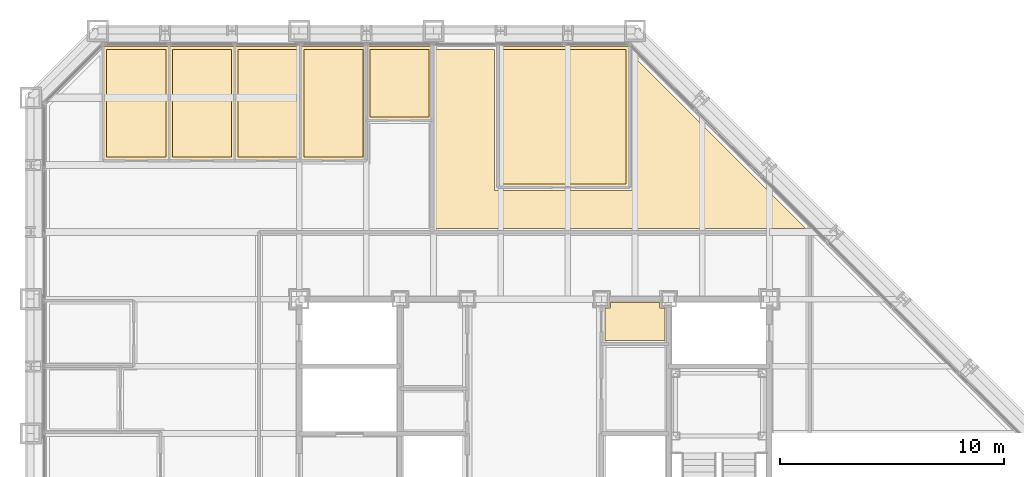
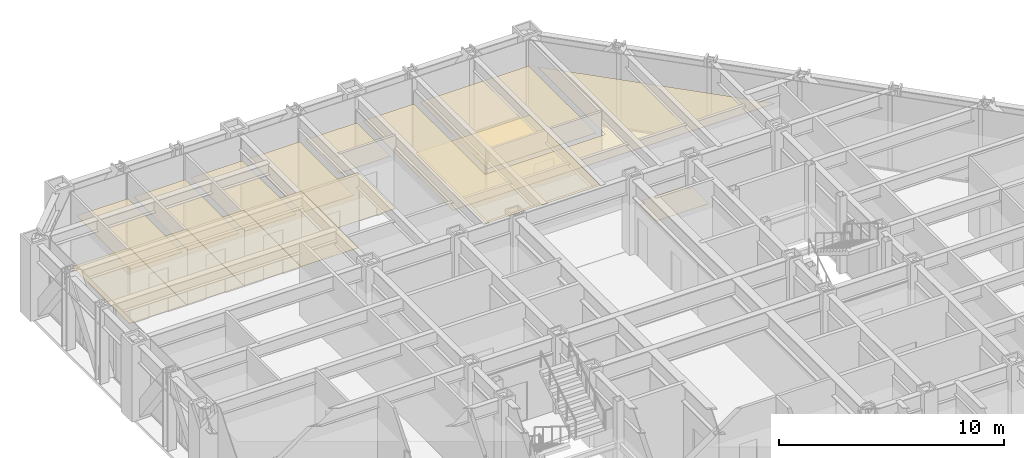
# One storey, part 16 of 16: 14 coverings.
"""IFC4 building model written with IfcOpenShell, lengths in metres."""

from ifc_helpers import new_model, si_unit, direction, frame, origin, place, context, subcontext, project, spatial, polyline, outline, extrude, material, layer, layer_set, type_object, element, save


model = new_model("IFC4")

# Units and contexts
model_context = context("Model", 3, precision=1e-05, world=origin(), true_north=direction((0.0, 1.0)))
body_context = subcontext(model_context, "Body", "Model", "MODEL_VIEW")
ifc_project = project(units=[si_unit("LENGTHUNIT", "METRE"), si_unit("AREAUNIT", "SQUARE_METRE"), si_unit("VOLUMEUNIT", "CUBIC_METRE"), si_unit("PLANEANGLEUNIT", "RADIAN"), si_unit("MASSUNIT", "GRAM", prefix="KILO")], contexts=[model_context])

# Site, building, storey
site_placement = place(None, origin())
site = spatial("IfcSite", under=ifc_project, at=site_placement, CompositionType="ELEMENT")
building_placement = place(site_placement, origin())
building = spatial("IfcBuilding", under=site, at=building_placement, Name="Chuquiago Exchange Tower", CompositionType="ELEMENT")
storey_placement = place(building_placement, frame((0.0, 0.0, 123.60009765625)))
storey = spatial("IfcBuildingStorey", under=building, at=storey_placement, Name="L26", CompositionType="ELEMENT", Elevation=123.60009765625)

# Coverings
ifc_material_1 = material(Name="Mineral fibre tile, 600 x 600, on pale metal grid", Category="mineral fibre")
ifc_layer_1 = layer(ifc_material_1, 0.02001953125)
ifc_layer_set_1 = layer_set([ifc_layer_1], Name="CL1 suspended tile ceiling 20")
covering_type_1 = type_object("IfcCoveringType", Name="CL1 suspended tile ceiling 20", PredefinedType="CEILING", material=ifc_layer_set_1)
covering_1_placement = place(storey_placement, frame((0.0, 0.0, 2.7998046875)))
element("IfcCovering", 1, at=covering_1_placement, inside=storey, type_object=covering_type_1, Name="Ceiling Office", PredefinedType="CEILING", context=body_context, shape_type="SweptSolid", body=[
    extrude(outline(polyline([(6.036376953125, 44.14990234375), (6.036376953125, 39.35009765625), (3.3984375, 39.35009765625), (3.3984375, 44.14990234375), (6.036376953125, 44.14990234375)])), origin(), (0.0, 0.0, 1.0), 0.02001953125),
])
covering_2_placement = place(storey_placement, frame((0.0, 0.0, 2.7998046875)))
element("IfcCovering", 2, at=covering_2_placement, inside=storey, type_object=covering_type_1, Name="Ceiling Office", PredefinedType="CEILING", context=body_context, shape_type="SweptSolid", body=[
    extrude(outline(polyline([(8.974365234375, 39.35009765625), (6.33642578125, 39.35009765625), (6.33642578125, 44.14990234375), (8.974365234375, 44.14990234375), (8.974365234375, 39.35009765625)])), origin(), (0.0, 0.0, 1.0), 0.02001953125),
])
covering_3_placement = place(storey_placement, frame((0.0, 0.0, 2.7998046875)))
element("IfcCovering", 3, at=covering_3_placement, inside=storey, type_object=covering_type_1, Name="Ceiling Office", PredefinedType="CEILING", context=body_context, shape_type="SweptSolid", body=[
    extrude(outline(polyline([(11.912109375, 39.35009765625), (9.2744140625, 39.35009765625), (9.2744140625, 44.14990234375), (11.912109375, 44.14990234375), (11.912109375, 39.35009765625)])), origin(), (0.0, 0.0, 1.0), 0.02001953125),
])
covering_4_placement = place(storey_placement, frame((0.0, 0.0, 2.7998046875)))
element("IfcCovering", 4, at=covering_4_placement, inside=storey, type_object=covering_type_1, Name="Ceiling Meeting room", PredefinedType="CEILING", context=body_context, shape_type="SweptSolid", body=[
    extrude(outline(polyline([(14.85009765625, 39.35009765625), (12.212158203125, 39.35009765625), (12.212158203125, 44.14990234375), (14.85009765625, 44.14990234375), (14.85009765625, 39.35009765625)])), origin(), (0.0, 0.0, 1.0), 0.02001953125),
])
covering_5_placement = place(storey_placement, frame((0.0, 0.0, 2.7998046875)))
element("IfcCovering", 5, at=covering_5_placement, inside=storey, type_object=covering_type_1, Name="Ceiling Focus room", PredefinedType="CEILING", context=body_context, shape_type="SweptSolid", body=[
    extrude(outline(polyline([(17.787841796875, 41.14990234375), (15.14990234375, 41.14990234375), (15.14990234375, 44.14990234375), (17.787841796875, 44.14990234375), (17.787841796875, 41.14990234375)])), origin(), (0.0, 0.0, 1.0), 0.02001953125),
])
covering_6_placement = place(storey_placement, frame((0.0, 0.0, 2.7998046875)))
element("IfcCovering", 6, at=covering_6_placement, inside=storey, type_object=covering_type_1, Name="Ceiling Risk management office", PredefinedType="CEILING", context=body_context, shape_type="SweptSolid", body=[
    extrude(outline(polyline([(26.6015625, 38.14990234375), (21.025634765625, 38.14990234375), (21.025634765625, 44.14990234375), (26.6015625, 44.14990234375), (26.6015625, 38.14990234375)])), origin(), (0.0, 0.0, 1.0), 0.02001953125),
])
covering_7_placement = place(storey_placement, frame((0.0, 0.0, 2.7998046875)))
element("IfcCovering", 7, at=covering_7_placement, inside=storey, type_object=covering_type_1, Name="Ceiling Open office east suite", PredefinedType="CEILING", context=body_context, shape_type="SweptSolid", body=[
    extrude(outline(polyline([(20.7255859375, 37.85009765625), (26.901611328125, 37.85009765625), (26.901611328125, 43.896484375), (34.64794921875, 36.150146484375), (18.08837890625, 36.150390625), (18.08837890625, 44.14990234375), (20.7255859375, 44.14990234375), (20.7255859375, 37.85009765625)])), origin(), (0.0, 0.0, 1.0), 0.02001953125),
])
ifc_material_2 = material(Name="Moisture resistant plasterboard on metal frame", Category="gypsum")
ifc_layer_2 = layer(ifc_material_2, 0.014892578125)
ifc_layer_set_2 = layer_set([ifc_layer_2], Name="CL2 moisture resistant ceiling 15")
covering_type_2 = type_object("IfcCoveringType", Name="CL2 moisture resistant ceiling 15", PredefinedType="CEILING", material=ifc_layer_set_2)
covering_8_placement = place(storey_placement, frame((0.0, 0.0, 2.599853515625)))
element("IfcCovering", 8, at=covering_8_placement, inside=storey, type_object=covering_type_2, Name="Ceiling Staff shower room", PredefinedType="CEILING", context=body_context, shape_type="SweptSolid", body=[
    extrude(outline(polyline([(25.64990234375, 31.14990234375), (25.64990234375, 32.60009765625), (25.89990234375, 32.60009765625), (25.89990234375, 32.85009765625), (28.10009765625, 32.85009765625), (28.10009765625, 32.60009765625), (28.35009765625, 32.60009765625), (28.35009765625, 31.14990234375), (25.64990234375, 31.14990234375)])), origin(), (0.0, 0.0, 1.0), 0.01513671875),
])
ifc_material_3 = material(Name="Carpet tile, 500 x 500, on the floor slab", Category="textile")
ifc_layer_3 = layer(ifc_material_3, 0.010009765625)
ifc_layer_set_3 = layer_set([ifc_layer_3], Name="FL1 carpet tile 10")
covering_type_3 = type_object("IfcCoveringType", Name="FL1 carpet tile 10", PredefinedType="FLOORING", material=ifc_layer_set_3)
covering_9_placement = place(storey_placement, origin())
element("IfcCovering", 9, at=covering_9_placement, inside=storey, type_object=covering_type_3, Name="Floor finish Office", PredefinedType="FLOORING", context=body_context, shape_type="SweptSolid", body=[
    extrude(outline(polyline([(3.289794921875, 44.300048828125), (6.186279296875, 44.300048828125), (6.186279296875, 39.199951171875), (3.24853515625, 39.199951171875), (3.24853515625, 44.258544921875), (3.289794921875, 44.300048828125)])), origin(), (0.0, 0.0, 1.0), 0.010009765625),
])
covering_10_placement = place(storey_placement, origin())
element("IfcCovering", 10, at=covering_10_placement, inside=storey, type_object=covering_type_3, Name="Floor finish Office", PredefinedType="FLOORING", context=body_context, shape_type="SweptSolid", body=[
    extrude(outline(polyline([(9.124267578125, 44.300048828125), (9.124267578125, 39.199951171875), (6.186279296875, 39.199951171875), (6.186279296875, 44.300048828125), (9.124267578125, 44.300048828125)])), origin(), (0.0, 0.0, 1.0), 0.010009765625),
])
covering_11_placement = place(storey_placement, origin())
element("IfcCovering", 11, at=covering_11_placement, inside=storey, type_object=covering_type_3, Name="Floor finish Office", PredefinedType="FLOORING", context=body_context, shape_type="SweptSolid", body=[
    extrude(outline(polyline([(12.06201171875, 44.300048828125), (12.06201171875, 39.199951171875), (9.124267578125, 39.199951171875), (9.124267578125, 44.300048828125), (12.06201171875, 44.300048828125)])), origin(), (0.0, 0.0, 1.0), 0.010009765625),
])
covering_12_placement = place(storey_placement, origin())
element("IfcCovering", 12, at=covering_12_placement, inside=storey, type_object=covering_type_3, Name="Floor finish Meeting room", PredefinedType="FLOORING", context=body_context, shape_type="SweptSolid", body=[
    extrude(outline(polyline([(15.0, 44.300048828125), (15.0, 39.199951171875), (12.06201171875, 39.199951171875), (12.06201171875, 44.300048828125), (15.0, 44.300048828125)])), origin(), (0.0, 0.0, 1.0), 0.010009765625),
])
covering_13_placement = place(storey_placement, origin())
element("IfcCovering", 13, at=covering_13_placement, inside=storey, type_object=covering_type_3, Name="Floor finish Focus room", PredefinedType="FLOORING", context=body_context, shape_type="SweptSolid", body=[
    extrude(outline(polyline([(17.93798828125, 44.300048828125), (17.93798828125, 41.0), (15.0, 41.0), (15.0, 44.300048828125), (17.93798828125, 44.300048828125)])), origin(), (0.0, 0.0, 1.0), 0.010009765625),
])
covering_14_placement = place(storey_placement, origin())
element("IfcCovering", 14, at=covering_14_placement, inside=storey, type_object=covering_type_3, Name="Floor finish Risk management office", PredefinedType="FLOORING", context=body_context, shape_type="SweptSolid", body=[
    extrude(outline(polyline([(26.710205078125, 44.300048828125), (26.75146484375, 44.258544921875), (26.75146484375, 38.0), (20.875732421875, 38.0), (20.875732421875, 44.300048828125), (26.710205078125, 44.300048828125)])), origin(), (0.0, 0.0, 1.0), 0.010009765625),
])

save(model, "model.ifc")
